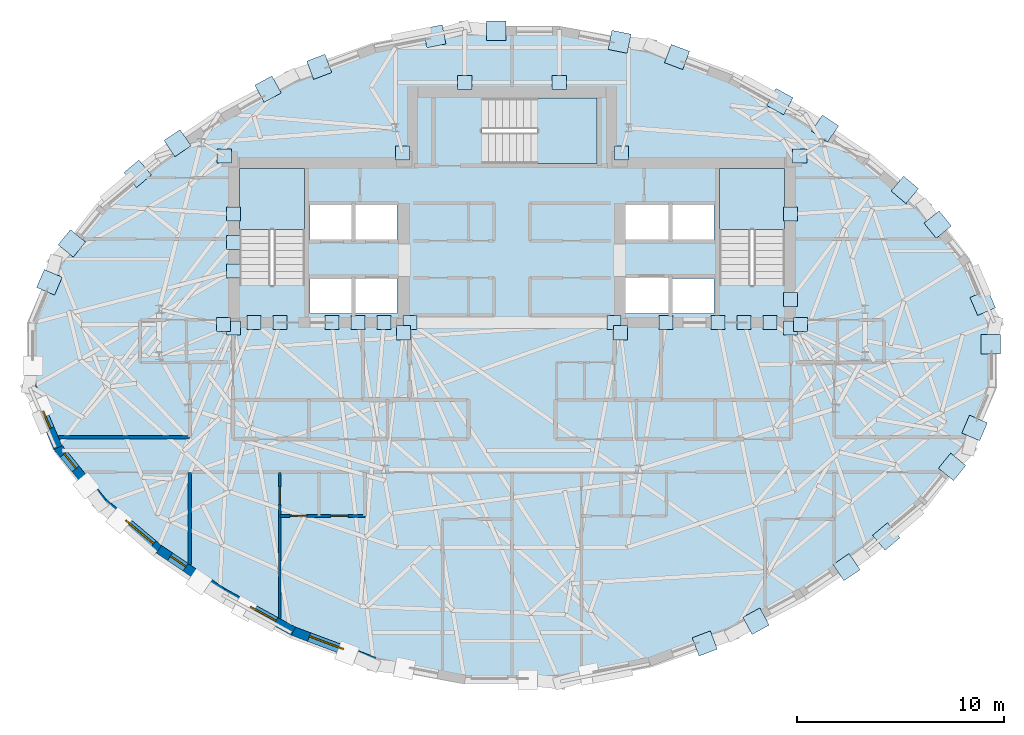
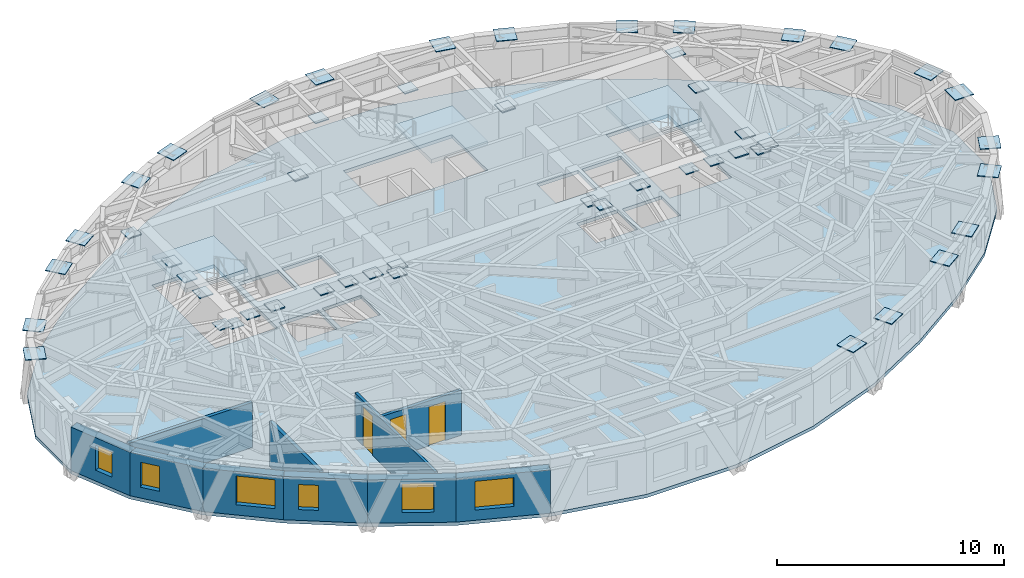
# One storey, part 5 of 14: 50 plates, 10 walls, 6 windows, 4 slabs, 3 doors, 9 openings, 3 elements without a shape of their own.
"""IFC4 building model written with IfcOpenShell, lengths in metres."""

import ifcopenshell
import ifcopenshell.guid

model = None  # the IFC model being written
_history = None  # IfcOwnerHistory: only IFC2X3 demands one
_inside = {}  # id of a spatial element -> (the spatial element, [elements in it])
_under = {}  # id of a project, library or spatial element -> (it, [spatial elements below it])
_declared = {}  # id of a project -> (the project, [libraries it declares])
_typed = {}  # id of a type object -> (the type object, [elements of that type])
_made_of = {}  # id of a material, layer set ... -> (it, [elements and type objects made of it])


def new_model(schema):
    """Start an empty IFC model of exactly this schema.

    Asked for "IFC4X3", IfcOpenShell would pick the latest addendum, in which some entities
    have other attributes; the version numbers below select the first issue.
    IFC2X3 requires an IfcOwnerHistory on every rooted entity: one is made here for all.
    """
    global model, _history
    if schema == "IFC4X3":
        model = ifcopenshell.file(schema_version=(4, 3, 0, 0))
    else:
        model = ifcopenshell.file(schema=schema)
    _inside.clear()
    _under.clear()
    _declared.clear()
    _typed.clear()
    _made_of.clear()
    _history = None
    if model.schema == "IFC2X3":
        org = make("IfcOrganization", Name="unknown")
        user = make(
            "IfcPersonAndOrganization",
            ThePerson=make("IfcPerson", FamilyName="unknown"),
            TheOrganization=org,
        )
        app = make(
            "IfcApplication",
            ApplicationDeveloper=org,
            Version="unknown",
            ApplicationFullName="unknown",
            ApplicationIdentifier="unknown",
        )
        _history = make(
            "IfcOwnerHistory",
            OwningUser=user,
            OwningApplication=app,
            ChangeAction="ADDED",
            CreationDate=0,
        )
    return model


def make(cls, **values):
    """One entity of the class cls with the attributes given. An attribute that is None is left unset."""
    return model.create_entity(
        cls, **{name: value for name, value in values.items() if value is not None}
    )


def rooted(cls, **values):
    """An entity with a GlobalId (a new one), such as an element, a storey or a relation."""
    return make(cls, GlobalId=ifcopenshell.guid.new(), OwnerHistory=_history, **values)


def si_unit(unit_type, name, prefix=None):
    """IfcSIUnit, for example si_unit("LENGTHUNIT", "METRE", prefix="MILLI")."""
    return make("IfcSIUnit", UnitType=unit_type, Prefix=prefix, Name=name)


def assignment(units):
    """IfcUnitAssignment: the units of a project."""
    return None if units is None else make("IfcUnitAssignment", Units=units)


def point(xyz):
    """IfcCartesianPoint."""
    return None if xyz is None else make("IfcCartesianPoint", Coordinates=xyz)


def direction(xyz):
    """IfcDirection."""
    return None if xyz is None else make("IfcDirection", DirectionRatios=xyz)


def frame(location, z_axis=None, x_axis=None):
    """IfcAxis2Placement3D, a coordinate frame: its origin and axes. An axis left out is left unset."""
    return make(
        "IfcAxis2Placement3D",
        Location=point(location),
        Axis=direction(z_axis),
        RefDirection=direction(x_axis),
    )


def frame_2d(location, x_axis=None):
    """IfcAxis2Placement2D, a coordinate frame in the plane: its origin and x axis."""
    return make(
        "IfcAxis2Placement2D", Location=point(location), RefDirection=direction(x_axis)
    )


def origin():
    """The frame at (0, 0, 0) with its axes left unset."""
    return frame((0.0, 0.0, 0.0))


def origin_2d():
    """The frame at (0, 0) in the plane with its x axis left unset."""
    return frame_2d((0.0, 0.0))


def place(relative_to, where):
    """IfcLocalPlacement: puts the frame where relative to a parent placement (None: the world)."""
    return make(
        "IfcLocalPlacement", PlacementRelTo=relative_to, RelativePlacement=where
    )


def context(
    kind, dimensions, precision=None, world=None, true_north=None, identifier=None
):
    """IfcGeometricRepresentationContext, for example the 3D "Model" context."""
    return make(
        "IfcGeometricRepresentationContext",
        ContextIdentifier=identifier,
        ContextType=kind,
        CoordinateSpaceDimension=dimensions,
        Precision=precision,
        WorldCoordinateSystem=world,
        TrueNorth=true_north,
    )


def subcontext(parent, identifier, kind, view, scale=None):
    """IfcGeometricRepresentationSubContext, for example "Body" below "Model"."""
    return make(
        "IfcGeometricRepresentationSubContext",
        ContextIdentifier=identifier,
        ContextType=kind,
        ParentContext=parent,
        TargetScale=scale,
        TargetView=view,
    )


def project(units=None, contexts=None):
    """IfcProject with its units and contexts."""
    return rooted(
        "IfcProject",
        Name="project",
        RepresentationContexts=contexts,
        UnitsInContext=assignment(units),
    )


def spatial(cls, under=None, at=None, **own):
    """A site, building, storey or space (cls), placed at a placement, below another one or the project."""
    s = rooted(cls, ObjectPlacement=at, **own)
    if under is not None:
        _under.setdefault(under.id(), (under, []))[1].append(s)
    return s


def polyline(points):
    """IfcPolyline through the points."""
    return make("IfcPolyline", Points=[point(p) for p in points])


def profile(cls, at=None, kind="AREA", **sizes):
    """A parametric profile (cls). Its sizes go by their IFC names, for example OverallWidth=200.0."""
    return make(cls, ProfileType=kind, Position=at, **sizes)


def rectangle(**sizes):
    """IfcRectangleProfileDef."""
    return profile("IfcRectangleProfileDef", **sizes)


def outline(outer, holes=None, kind="AREA"):
    """IfcArbitraryClosedProfileDef: a profile drawn as a closed curve; with holes, ...WithVoids."""
    if holes is None:
        return make("IfcArbitraryClosedProfileDef", ProfileType=kind, OuterCurve=outer)
    return make(
        "IfcArbitraryProfileDefWithVoids",
        ProfileType=kind,
        OuterCurve=outer,
        InnerCurves=holes,
    )


def extrude(swept, where, along, depth):
    """IfcExtrudedAreaSolid: the profile swept, set in the frame where, extruded along a direction by depth."""
    return make(
        "IfcExtrudedAreaSolid",
        SweptArea=swept,
        Position=where,
        ExtrudedDirection=direction(along),
        Depth=depth,
    )


def shape(context_of_items, identifier, shape_type, items):
    """IfcShapeRepresentation: the items that make up one representation, for example the "Body"."""
    return make(
        "IfcShapeRepresentation",
        ContextOfItems=context_of_items,
        RepresentationIdentifier=identifier,
        RepresentationType=shape_type,
        Items=items,
    )


def material(Name=None, Category=None):
    """IfcMaterial."""
    return make("IfcMaterial", Name=Name, Category=Category)


def layer(
    of_material, thickness, ventilated=None, Name=None, Category=None, Priority=None
):
    """IfcMaterialLayer: one layer of a wall or slab, of a material (None: an air gap)."""
    return make(
        "IfcMaterialLayer",
        Material=of_material,
        LayerThickness=thickness,
        IsVentilated=ventilated,
        Name=Name,
        Category=Category,
        Priority=Priority,
    )


def layer_set(layers, Name=None):
    """IfcMaterialLayerSet."""
    return make("IfcMaterialLayerSet", MaterialLayers=layers, LayerSetName=Name)


def made_of(thing, what):
    """Note that an element or type object is made of a material, layer set ...; save() writes the relation."""
    if what is not None:
        _made_of.setdefault(what.id(), (what, []))[1].append(thing)
    return thing


def type_object(cls, material=None, **own):
    """A type object (cls), such as IfcWallType, which elements share."""
    return made_of(rooted(cls, **own), material)


def element(
    cls,
    number,
    at=None,
    inside=None,
    cuts=None,
    type_object=None,
    material=None,
    context=None,
    identifier="Body",
    shape_type=None,
    held_by="IfcProductDefinitionShape",
    body=None,
    shapes=None,
    **own,
):
    """One element of the class cls, such as IfcWall. Its Tag is "e" and its number.

    at: its placement. inside: the storey or other place that contains it. cuts: it is an
    opening in that element (IfcRelVoidsElement). A single representation is given by context,
    identifier, shape_type and body (its items); several are given by shapes. held_by: the class
    of the entity that holds the representations. save() writes the other relations.
    """
    e = rooted(cls, Tag="e%d" % number, ObjectPlacement=at, **own)
    if body is not None:
        shapes = [shape(context, identifier, shape_type, body)]
    if shapes is not None:
        e.Representation = make(held_by, Representations=shapes)
    if inside is not None:
        _inside.setdefault(inside.id(), (inside, []))[1].append(e)
    if cuts is not None:
        rooted(
            "IfcRelVoidsElement", RelatingBuildingElement=cuts, RelatedOpeningElement=e
        )
    if type_object is not None:
        _typed.setdefault(type_object.id(), (type_object, []))[1].append(e)
    return made_of(e, material)


def fill(opening, filler):
    """IfcRelFillsElement: the door or window that sits in an opening."""
    return rooted(
        "IfcRelFillsElement",
        RelatingOpeningElement=opening,
        RelatedBuildingElement=filler,
    )


def aggregate(whole, parts):
    """IfcRelAggregates: a whole, such as a stair, and the parts it consists of."""
    return rooted("IfcRelAggregates", RelatingObject=whole, RelatedObjects=parts)


def save(model, path):
    """Write the relations noted so far, then the file.

    IfcRelAggregates (storeys below a building ...), IfcRelContainedInSpatialStructure (elements
    in a storey), IfcRelDefinesByType, IfcRelAssociatesMaterial and IfcRelDeclares: one each for
    every whole, place, type object, material and project.
    """
    for whole, parts in _under.values():
        aggregate(whole, parts)
    for where, things in _inside.values():
        rooted(
            "IfcRelContainedInSpatialStructure",
            RelatedElements=things,
            RelatingStructure=where,
        )
    for kind, things in _typed.values():
        rooted("IfcRelDefinesByType", RelatedObjects=things, RelatingType=kind)
    for what, things in _made_of.values():
        rooted("IfcRelAssociatesMaterial", RelatedObjects=things, RelatingMaterial=what)
    for by, libraries in _declared.values():
        rooted("IfcRelDeclares", RelatingContext=by, RelatedDefinitions=libraries)
    model.write(path)


model = new_model("IFC4")

# Units and contexts
model_context = context("Model", 3, precision=1e-05, world=origin(), true_north=direction((0.0, 1.0)))
body_context = subcontext(model_context, "Body", "Model", "MODEL_VIEW")
ifc_project = project(units=[si_unit("LENGTHUNIT", "METRE"), si_unit("AREAUNIT", "SQUARE_METRE"), si_unit("VOLUMEUNIT", "CUBIC_METRE"), si_unit("PLANEANGLEUNIT", "RADIAN"), si_unit("MASSUNIT", "GRAM", prefix="KILO")], contexts=[model_context])

# Site, building, storey
site_placement = place(None, origin())
site = spatial("IfcSite", under=ifc_project, at=site_placement, CompositionType="ELEMENT")
building_placement = place(site_placement, origin())
building = spatial("IfcBuilding", under=site, at=building_placement, Name="Keldmark Tower", CompositionType="ELEMENT")
storey_placement = place(building_placement, frame((0.0, 0.0, 216.300048828125)))
storey = spatial("IfcBuildingStorey", under=building, at=storey_placement, Name="L60", CompositionType="ELEMENT", Elevation=216.300048828125)

# Plates
ifc_material_1 = material(Name="Steel ASTM A572 Grade 50", Category="steel")
ifc_layer_1 = layer(ifc_material_1, 0.06005859375)
ifc_layer_set_1 = layer_set([ifc_layer_1], Name="Steel ASTM A572 Grade 50")
plate_type_1 = type_object("IfcPlateType", Name="Belt Truss Kink Node Assembly KN01 60 mm", PredefinedType="USERDEFINED", material=ifc_layer_set_1)
for number, where, z_axis, x_axis, name in (
    (1, (13.91162109375, 1.473388671875, 2.67822265625), (0.0, 0.0, 1.0), (1.0, 0.0, 0.0), "L60 Core Wall Cast-In Embed Plate 1759"),
    (2, (13.878173828125, 9.608154296875, 2.67822265625), (0.0, 0.0, 1.0), (1.0, 0.0, 0.0), "L60 Core Wall Cast-In Embed Plate 1760"),
    (3, (5.28515625, 9.758544921875, 2.67822265625), (0.0, 0.0, 1.0), (1.0, 0.0, 0.0), "L60 Core Wall Cast-In Embed Plate 1761"),
    (4, (-5.28515625, 9.758544921875, 2.67822265625), (0.0, 0.0, 1.0), (1.0, 0.0, 0.0), "L60 Core Wall Cast-In Embed Plate 1762"),
    (5, (-13.878173828125, 9.608154296875, 2.67822265625), (0.0, 0.0, 1.0), (1.0, 0.0, 0.0), "L60 Core Wall Cast-In Embed Plate 1763"),
    (6, (-13.91162109375, 1.473388671875, 2.67822265625), (0.0, 0.0, 1.0), (1.0, 0.0, 0.0), "L60 Core Wall Cast-In Embed Plate 1764"),
    (7, (-5.24072265625, 1.08251953125, 2.67822265625), (0.0, 0.0, 1.0), (1.0, 0.0, 0.0), "L60 Core Wall Cast-In Embed Plate 1765"),
    (8, (5.24072265625, 1.08251953125, 2.67822265625), (0.0, 0.0, 1.0), (1.0, 0.0, 0.0), "L60 Core Wall Cast-In Embed Plate 1766"),
    (9, (4.925048828125, 1.574951171875, 2.673828125), (0.0, 0.0, 1.0), (1.0, 0.0, 0.0), "L60 Core Wall Cast-In Embed Plate 1767"),
    (10, (-11.19287109375, 1.574951171875, 2.673828125), (0.0, 0.0, 1.0), (1.0, 0.0, 0.0), "L60 Core Wall Cast-In Embed Plate 1768"),
    (11, (-7.43212890625, 1.574951171875, 2.673828125), (0.0, 0.0, 1.0), (1.0, 0.0, 0.0), "L60 Core Wall Cast-In Embed Plate 1769"),
    (12, (7.43212890625, 1.574951171875, 2.673828125), (0.0, 0.0, 1.0), (1.0, 0.0, 0.0), "L60 Core Wall Cast-In Embed Plate 1770"),
    (13, (11.19287109375, 1.574951171875, 2.673828125), (0.0, 0.0, 1.0), (1.0, 0.0, 0.0), "L60 Core Wall Cast-In Embed Plate 1771"),
    (14, (13.425048828125, 2.675048828125, 2.673828125), (0.0, 0.0, 1.0), (1.0, 0.0, 0.0), "L60 Core Wall Cast-In Embed Plate 1772"),
    (15, (-13.425048828125, 1.300048828125, 2.673828125), (0.0, 0.0, 1.0), (1.0, 0.0, 0.0), "L60 Core Wall Cast-In Embed Plate 1773"),
    (16, (-6.1787109375, 1.574951171875, 2.673828125), (0.0, 0.0, 1.0), (1.0, 0.0, 0.0), "L60 Core Wall Cast-In Embed Plate 1774"),
    (17, (9.939208984375, 1.574951171875, 2.673828125), (0.0, 0.0, 1.0), (1.0, 0.0, 0.0), "L60 Core Wall Cast-In Embed Plate 1775"),
    (18, (13.425048828125, 1.300048828125, 2.673828125), (0.0, 0.0, 1.0), (1.0, 0.0, 0.0), "L60 Core Wall Cast-In Embed Plate 1776"),
    (19, (13.425048828125, 6.800048828125, 2.673828125), (0.0, 0.0, 1.0), (1.0, 0.0, 0.0), "L60 Core Wall Cast-In Embed Plate 1777"),
    (20, (-13.425048828125, 4.050048828125, 2.673828125), (0.0, 0.0, 1.0), (1.0, 0.0, 0.0), "L60 Core Wall Cast-In Embed Plate 1778"),
    (21, (-13.425048828125, 5.425048828125, 2.673828125), (0.0, 0.0, 1.0), (1.0, 0.0, 0.0), "L60 Core Wall Cast-In Embed Plate 1779"),
    (22, (-13.425048828125, 6.800048828125, 2.673828125), (0.0, 0.0, 1.0), (1.0, 0.0, 0.0), "L60 Core Wall Cast-In Embed Plate 1780"),
    (23, (-12.4462890625, 1.574951171875, 2.673828125), (0.0, 0.0, 1.0), (1.0, 0.0, 0.0), "L60 Core Wall Cast-In Embed Plate 1781"),
    (24, (-8.685791015625, 1.574951171875, 2.673828125), (0.0, 0.0, 1.0), (1.0, 0.0, 0.0), "L60 Core Wall Cast-In Embed Plate 1782"),
    (25, (-4.925048828125, 1.574951171875, 2.673828125), (0.0, 0.0, 1.0), (1.0, 0.0, 0.0), "L60 Core Wall Cast-In Embed Plate 1783"),
    (26, (12.4462890625, 1.574951171875, 2.673828125), (0.0, 0.0, 1.0), (1.0, 0.0, 0.0), "L60 Core Wall Cast-In Embed Plate 1784"),
    (27, (2.281005859375, 13.14990234375, 2.673828125), (0.0, 0.0, 1.0), (1.0, 0.0, 0.0), "L60 Core Wall Cast-In Embed Plate 1785"),
    (28, (-2.281005859375, 13.14990234375, 2.673828125), (0.0, 0.0, 1.0), (1.0, 0.0, 0.0), "L60 Core Wall Cast-In Embed Plate 1786"),
):
    element("IfcPlate", number, at=place(storey_placement, frame(where, z_axis=z_axis, x_axis=x_axis)), inside=storey, type_object=plate_type_1, Name=name, ObjectType="CAP PLATE", PredefinedType="USERDEFINED", context=body_context, shape_type="SweptSolid", body=[
        extrude(rectangle(XDim=0.679931640625, YDim=0.679931640625, at=origin_2d()), origin(), (0.0, 0.0, 1.0), 0.054931640625),
    ])
ifc_material_2 = material(Name="Steel ASTM A572 Grade 50", Category="steel")
ifc_layer_2 = layer(ifc_material_2, 0.0400390625)
ifc_layer_set_2 = layer_set([ifc_layer_2], Name="Steel ASTM A572 Grade 50")
plate_type_2 = type_object("IfcPlateType", Name="Diagrid Node Assembly DN05 40 mm", PredefinedType="USERDEFINED", material=ifc_layer_set_2)
for number, where, z_axis, x_axis, name in (
    (29, (22.703125, 2.531982421875, 2.829833984375), (0.0, 0.0, 1.0), (-0.394743856384, 0.918791210149, 0.0), "L60 Diagrid Node Assembly 01"),
    (30, (20.53076171875, 6.2978515625, 2.829833984375), (0.0, 0.0, 1.0), (-0.632705328563, 0.774392644082, 0.0), "L60 Diagrid Node Assembly 02"),
    (31, (18.944580078125, 7.97119140625, 2.829833984375), (0.0, 0.0, 1.0), (-0.766044443119, 0.642787609687, 0.0), "L60 Diagrid Node Assembly 03"),
    (32, (15.09619140625, 10.928955078125, 2.829833984375), (0.0, 0.0, 1.0), (-0.827570769564, 0.561361399958, 0.0), "L60 Diagrid Node Assembly 04"),
    (33, (12.91650390625, 12.227783203125, 2.829833984375), (0.0, 0.0, 1.0), (-0.876894599045, 0.480682704252, 0.0), "L60 Diagrid Node Assembly 05"),
    (34, (7.9599609375, 14.37890625, 2.829833984375), (0.0, 0.0, 1.0), (-0.936059535739, 0.351841648405, 0.0), "L60 Diagrid Node Assembly 06"),
    (35, (5.18603515625, 15.11181640625, 2.829833984375), (0.0, 0.0, 1.0), (-0.981022896164, 0.193891921448, 0.0), "L60 Diagrid Node Assembly 07"),
    (36, (-0.76611328125, 15.64697265625, 2.829833984375), (0.0, 0.0, 1.0), (-1.0, 0.0, 0.0), "L60 Diagrid Node Assembly 08"),
    (37, (-3.736328125, 15.37841796875, 2.829833984375), (0.0, 0.0, 1.0), (-0.981022896164, -0.193891921448, 0.0), "L60 Diagrid Node Assembly 09"),
    (38, (-9.294189453125, 13.905517578125, 2.829833984375), (0.0, 0.0, 1.0), (-0.936059535739, -0.351841648405, 0.0), "L60 Diagrid Node Assembly 10"),
    (39, (-11.7666015625, 12.831298828125, 2.829833984375), (0.0, 0.0, 1.0), (-0.876894599045, -0.480682704252, 0.0), "L60 Diagrid Node Assembly 11"),
    (40, (-16.132568359375, 10.223388671875, 2.829833984375), (0.0, 0.0, 1.0), (-0.827570769564, -0.561361399958, 0.0), "L60 Diagrid Node Assembly 12"),
    (41, (-18.051513671875, 8.747802734375, 2.829833984375), (0.0, 0.0, 1.0), (-0.766044443119, -0.642787609687, 0.0), "L60 Diagrid Node Assembly 13"),
    (42, (-21.226318359375, 5.389404296875, 2.829833984375), (0.0, 0.0, 1.0), (-0.632705328563, -0.774392644082, 0.0), "L60 Diagrid Node Assembly 14"),
    (43, (-22.309326171875, 3.51171875, 2.829833984375), (0.0, 0.0, 1.0), (-0.394743856384, -0.918791210149, 0.0), "L60 Diagrid Node Assembly 15"),
    (44, (9.294189453125, -13.905517578125, 2.829833984375), (0.0, 0.0, 1.0), (0.936059535739, 0.351841648405, 0.0), "L60 Diagrid Node Assembly 26"),
    (45, (11.7666015625, -12.831298828125, 2.829833984375), (0.0, 0.0, 1.0), (0.876894599045, 0.480682704252, 0.0), "L60 Diagrid Node Assembly 27"),
    (46, (16.132568359375, -10.223388671875, 2.829833984375), (0.0, 0.0, 1.0), (0.827570769564, 0.561361399958, 0.0), "L60 Diagrid Node Assembly 28"),
    (47, (18.051513671875, -8.747802734375, 2.829833984375), (0.0, 0.0, 1.0), (0.766044443119, 0.642787609687, 0.0), "L60 Diagrid Node Assembly 29"),
    (48, (21.226318359375, -5.389404296875, 2.829833984375), (0.0, 0.0, 1.0), (0.632705328563, 0.774392644082, 0.0), "L60 Diagrid Node Assembly 30"),
    (49, (22.309326171875, -3.51171875, 2.829833984375), (0.0, 0.0, 1.0), (0.394743856384, 0.918791210149, 0.0), "L60 Diagrid Node Assembly 31"),
    (50, (23.099365234375, 0.521484375, 2.829833984375), (0.0, 0.0, 1.0), (0.0, 1.0, 0.0), "L60 Diagrid Node Assembly 32"),
):
    element("IfcPlate", number, at=place(storey_placement, frame(where, z_axis=z_axis, x_axis=x_axis)), inside=storey, type_object=plate_type_2, Name=name, ObjectType="GUSSET", PredefinedType="USERDEFINED", context=body_context, shape_type="SweptSolid", body=[
        extrude(rectangle(XDim=0.93994140625, YDim=0.93994140625, at=origin_2d()), origin(), (0.0, 0.0, 1.0), 0.0400390625),
    ])

# Slab
ifc_material_3 = material(Name="Concrete C35/45", Category="concrete")
ifc_layer_3 = layer(ifc_material_3, 0.179931640625)
ifc_layer_set_3 = layer_set([ifc_layer_3], Name="Concrete C35/45")
slab_type_1 = type_object("IfcSlabType", Name="Hotel and Residential Slab 180 mm", PredefinedType="FLOOR", material=ifc_layer_set_3)
slab_1_placement = place(storey_placement, frame((0.0, 0.0, -0.179931640625)))
element("IfcSlab", 51, at=slab_1_placement, inside=storey, type_object=slab_type_1, Name="L60 Composite Structural Floor Slab", PredefinedType="FLOOR", context=body_context, shape_type="SweptSolid", body=[
    extrude(outline(polyline([(23.384033203125, 1.56201171875), (22.1015625, 4.547119140625), (19.917236328125, 7.220458984375), (17.1474609375, 9.54443359375), (14.072509765625, 11.6298828125), (10.64599609375, 13.50830078125), (6.704345703125, 14.989990234375), (2.302978515625, 15.859619140625), (-2.302978515625, 15.859619140625), (-6.704345703125, 14.989990234375), (-10.64599609375, 13.50830078125), (-14.072509765625, 11.6298828125), (-17.1474609375, 9.54443359375), (-19.917236328125, 7.220458984375), (-22.1015625, 4.547119140625), (-23.384033203125, 1.56201171875), (-23.384033203125, -1.56201171875), (-22.1015625, -4.547119140625), (-19.917236328125, -7.220458984375), (-17.1474609375, -9.54443359375), (-14.072509765625, -11.6298828125), (-10.64599609375, -13.50830078125), (-6.704345703125, -14.989990234375), (-2.302978515625, -15.859619140625), (2.302978515625, -15.859619140625), (6.704345703125, -14.989990234375), (10.64599609375, -13.50830078125), (14.072509765625, -11.6298828125), (17.1474609375, -9.54443359375), (19.917236328125, -7.220458984375), (22.1015625, -4.547119140625), (23.384033203125, -1.56201171875), (23.384033203125, 1.56201171875)]), holes=[polyline([(-10.0, 3.385009765625), (-10.0, 9.0), (-13.14990234375, 9.0), (-13.14990234375, 3.385009765625), (-10.0, 3.385009765625)]), polyline([(13.14990234375, 3.385009765625), (13.14990234375, 9.0), (10.0, 9.0), (10.0, 3.385009765625), (13.14990234375, 3.385009765625)]), polyline([(-1.43994140625, 9.25), (4.10498046875, 9.25), (4.10498046875, 12.39990234375), (-1.43994140625, 12.39990234375), (-1.43994140625, 9.25)]), polyline([(-9.75, 2.0), (-7.75, 2.0), (-7.75, 3.699951171875), (-9.75, 3.699951171875), (-9.75, 2.0)]), polyline([(7.75, 2.0), (9.75, 2.0), (9.75, 3.699951171875), (7.75, 3.699951171875), (7.75, 2.0)]), polyline([(5.449951171875, 2.0), (7.550048828125, 2.0), (7.550048828125, 3.75), (5.449951171875, 3.75), (5.449951171875, 2.0)]), polyline([(-9.75, 5.550048828125), (-7.75, 5.550048828125), (-7.75, 7.25), (-9.75, 7.25), (-9.75, 5.550048828125)]), polyline([(-7.550048828125, 5.550048828125), (-5.550048828125, 5.550048828125), (-5.550048828125, 7.25), (-7.550048828125, 7.25), (-7.550048828125, 5.550048828125)]), polyline([(-7.550048828125, 2.0), (-5.550048828125, 2.0), (-5.550048828125, 3.699951171875), (-7.550048828125, 3.699951171875), (-7.550048828125, 2.0)]), polyline([(5.449951171875, 5.550048828125), (7.550048828125, 5.550048828125), (7.550048828125, 7.25), (5.449951171875, 7.25), (5.449951171875, 5.550048828125)]), polyline([(7.75, 5.550048828125), (9.75, 5.550048828125), (9.75, 7.25), (7.75, 7.25), (7.75, 5.550048828125)])]), origin(), (0.0, 0.0, 1.0), 0.179931640625),
])

# Stair, slab
ifc_material_4 = material(Name="Concrete C40/50", Category="concrete")
stair_type = type_object("IfcStairType", Name="Precast Concrete Core Exit Stair", PredefinedType="HALF_TURN_STAIR", material=ifc_material_4)
stair_1_placement = place(storey_placement, origin())
stair_1 = element("IfcStair", 52, at=stair_1_placement, inside=storey, type_object=stair_type, Name="L60 Exit Stair ST1", PredefinedType="HALF_TURN_STAIR")
ifc_material_5 = material(Name="Concrete C40/50", Category="concrete")
ifc_layer_4 = layer(ifc_material_5, 0.199951171875)
ifc_layer_set_4 = layer_set([ifc_layer_4], Name="Concrete C40/50")
slab_type_2 = type_object("IfcSlabType", Name="Reinforced Concrete Stair Landing 200 mm", PredefinedType="LANDING", material=ifc_layer_set_4)
slab_2_placement = place(storey_placement, frame((0.0, 0.0, 1.375)))
slab_2 = element("IfcSlab", 53, at=slab_2_placement, type_object=slab_type_2, Name="ST1 landing 1", PredefinedType="LANDING", context=body_context, shape_type="SweptSolid", body=[
    extrude(outline(polyline([(-10.0, 6.050048828125), (-10.0, 9.0), (-13.14990234375, 9.0), (-13.14990234375, 6.050048828125), (-10.0, 6.050048828125)])), origin(), (0.0, 0.0, 1.0), 0.199951171875),
])
aggregate(stair_1, [slab_2])

stair_2_placement = place(storey_placement, origin())
stair_2 = element("IfcStair", 54, at=stair_2_placement, inside=storey, type_object=stair_type, Name="L60 Exit Stair ST2", PredefinedType="HALF_TURN_STAIR")
slab_3_placement = place(storey_placement, frame((0.0, 0.0, 1.375)))
slab_3 = element("IfcSlab", 55, at=slab_3_placement, type_object=slab_type_2, Name="ST2 landing 1", PredefinedType="LANDING", context=body_context, shape_type="SweptSolid", body=[
    extrude(outline(polyline([(13.14990234375, 6.050048828125), (13.14990234375, 9.0), (10.0, 9.0), (10.0, 6.050048828125), (13.14990234375, 6.050048828125)])), origin(), (0.0, 0.0, 1.0), 0.199951171875),
])
aggregate(stair_2, [slab_3])

stair_3_placement = place(storey_placement, origin())
stair_3 = element("IfcStair", 56, at=stair_3_placement, inside=storey, type_object=stair_type, Name="L60 Exit Stair ST3", PredefinedType="HALF_TURN_STAIR")
slab_4_placement = place(storey_placement, frame((0.0, 0.0, 1.375)))
slab_4 = element("IfcSlab", 57, at=slab_4_placement, type_object=slab_type_2, Name="ST3 landing 1", PredefinedType="LANDING", context=body_context, shape_type="SweptSolid", body=[
    extrude(outline(polyline([(1.22509765625, 9.25), (4.10498046875, 9.25), (4.10498046875, 12.39990234375), (1.22509765625, 12.39990234375), (1.22509765625, 9.25)])), origin(), (0.0, 0.0, 1.0), 0.199951171875),
])
aggregate(stair_3, [slab_4])

# Wall, opening, door
ifc_material_6 = material(Name="Acoustic Gypsum Board Interior Partition", Category="gypsum")
ifc_layer_5 = layer(ifc_material_6, 0.1298828125)
ifc_layer_set_5 = layer_set([ifc_layer_5], Name="Acoustic Gypsum Board Interior Partition")
wall_type_1 = type_object("IfcWallType", Name="Interior Partition 130 mm", PredefinedType="PARTITIONING", material=ifc_layer_set_5)
wall_1_placement = place(storey_placement, frame((-11.199951171875, -12.69384765625, 0.0), z_axis=(0.0, 0.0, 1.0), x_axis=(0.0, 1.0, 0.0)))
wall_1 = element("IfcWall", 58, at=wall_1_placement, inside=storey, type_object=wall_type_1, Name="L60 Interior Partition 130 mm UA-BR1-E", PredefinedType="PARTITIONING", context=body_context, shape_type="SweptSolid", body=[
    extrude(rectangle(XDim=7.0439453125, YDim=0.1298828125, at=frame_2d((3.52197265625, 0.0))), origin(), (0.0, 0.0, 1.0), 2.4228515625),
])
opening_1_placement = place(wall_1_placement, frame((5.494140625, 0.0, 0.0)))
opening_1 = element("IfcOpeningElement", 59, at=opening_1_placement, cuts=wall_1, Name="Opening D-BR085", PredefinedType="OPENING", context=body_context, shape_type="SweptSolid", body=[
    extrude(rectangle(XDim=0.85009765625, YDim=2.10009765625, at=frame_2d((0.425048828125, 1.050048828125))), frame((0.0, 0.074951171875, 0.0), z_axis=(0.0, -1.0, 0.0), x_axis=(1.0, 0.0, 0.0)), (0.0, 0.0, 1.0), 0.14990234375),
])
ifc_material_7 = material(Name="Solid-Core Stained Walnut Wood", Category="wood")
door_type_1 = type_object("IfcDoorType", Name="Bedroom Door 850x2100", OperationType="NOTDEFINED", PredefinedType="DOOR", material=ifc_material_7)
door_1_placement = place(opening_1_placement, origin())
door_1 = element("IfcDoor", 60, at=door_1_placement, inside=storey, type_object=door_type_1, Name="L60 Bedroom Door 850x2100 D-UA-BR1-L60", OperationType="SINGLE_SWING_RIGHT", OverallHeight=2.10009765625, OverallWidth=0.85009765625, PredefinedType="DOOR", context=body_context, shape_type="SweptSolid", body=[
    extrude(rectangle(XDim=0.85009765625, YDim=2.10009765625, at=frame_2d((0.425048828125, 1.050048828125))), frame((0.0, 0.02490234375, 0.0), z_axis=(0.0, -1.0, 0.0), x_axis=(1.0, 0.0, 0.0)), (0.0, 0.0, 1.0), 0.050048828125),
])
fill(opening_1, door_1)

# Walls
ifc_material_8 = material(Name="Type X Fire-Rated Gypsum Partition Assembly", Category="gypsum")
ifc_layer_6 = layer(ifc_material_8, 0.1650390625)
ifc_layer_set_6 = layer_set([ifc_layer_6], Name="Type X Fire-Rated Gypsum Partition Assembly")
wall_type_2 = type_object("IfcWallType", Name="Rated Partition 165 mm", PredefinedType="PARTITIONING", material=ifc_layer_set_6)
wall_2_placement = place(storey_placement, frame((-21.87060546875, -3.949951171875, 0.0), z_axis=(0.0, 0.0, 1.0), x_axis=(1.0, 0.0, 0.0)))
element("IfcWall", 61, at=wall_2_placement, inside=storey, type_object=wall_type_2, Name="L60 Rated Partition 165 mm RCOR-WN-OUT", PredefinedType="PARTITIONING", context=body_context, shape_type="SweptSolid", body=[
    extrude(rectangle(XDim=6.320556640625, YDim=0.1650390625, at=frame_2d((3.16015625, 0.0))), origin(), (0.0, 0.0, 1.0), 2.4228515625),
])
wall_3_placement = place(storey_placement, frame((-15.550048828125, -10.08642578125, 0.0), z_axis=(0.0, 0.0, 1.0), x_axis=(0.0, 1.0, 0.0)))
element("IfcWall", 62, at=wall_3_placement, inside=storey, type_object=wall_type_2, Name="L60 Rated Partition 165 mm RS-WCAP", PredefinedType="PARTITIONING", context=body_context, shape_type="SweptSolid", body=[
    extrude(rectangle(XDim=4.4365234375, YDim=0.1650390625, at=frame_2d((2.21826171875, 0.0))), origin(), (0.0, 0.0, 1.0), 2.4228515625),
])

# Wall, opening, window
ifc_material_9 = material(Name="Ironspot Manganese Brick and Kasota Buff Limestone Spandrel Assembly", Category="masonry")
ifc_layer_7 = layer(ifc_material_9, 0.43994140625)
ifc_layer_set_7 = layer_set([ifc_layer_7], Name="Ironspot Manganese Brick and Kasota Buff Limestone Spandrel Assembly")
wall_type_3 = type_object("IfcWallType", Name="Tower Brick Pier and Spandrel Wall 440 mm", PredefinedType="STANDARD", material=ifc_layer_set_7)
wall_4_placement = place(storey_placement, frame((-21.8994140625, -4.460205078125, 0.0), z_axis=(0.0, 0.0, 1.0), x_axis=(-0.394735370712, 0.918794855835, 0.0)))
wall_4 = element("IfcWall", 63, at=wall_4_placement, inside=storey, type_object=wall_type_3, Name="L60 Exterior Brick and Spandrel Wall 17", PredefinedType="STANDARD", context=body_context, shape_type="SweptSolid", body=[
    extrude(rectangle(XDim=3.2490234375, YDim=0.43994140625, at=frame_2d((1.62451171875, 0.0))), origin(), (0.0, 0.0, 1.0), 2.3359375),
])
opening_2_placement = place(wall_4_placement, frame((0.99951171875, 0.0, 0.580078125)))
opening_2 = element("IfcOpeningElement", 64, at=opening_2_placement, cuts=wall_4, Name="Opening W-09", PredefinedType="OPENING", context=body_context, shape_type="SweptSolid", body=[
    extrude(rectangle(XDim=0.89990234375, YDim=1.35009765625, at=frame_2d((0.449951171875, 0.675048828125))), frame((0.0, 0.22998046875, 0.0), z_axis=(0.0, -1.0, 0.0), x_axis=(1.0, 0.0, 0.0)), (0.0, 0.0, 1.0), 0.4599609375),
])
ifc_material_10 = material(Name="Thermally Broken Anodized Aluminum and Triple Low-E Argon Glazing", Category="aluminium")
window_type_1 = type_object("IfcWindowType", Name="Corner Pier Deep-Set Window 900x1350", PartitioningType="SINGLE_PANEL", PredefinedType="WINDOW", material=ifc_material_10)
window_1_placement = place(opening_2_placement, origin())
window_1 = element("IfcWindow", 65, at=window_1_placement, inside=storey, type_object=window_type_1, Name="L60 Deep-Set Window 17", OverallHeight=1.35009765625, OverallWidth=0.89990234375, PartitioningType="SINGLE_PANEL", PredefinedType="WINDOW", context=body_context, shape_type="SweptSolid", body=[
    extrude(rectangle(XDim=0.89990234375, YDim=1.35009765625, at=frame_2d((0.449951171875, 0.675048828125))), frame((0.0, -0.010009765625, 0.0), z_axis=(0.0, -1.0, 0.0), x_axis=(1.0, 0.0, 0.0)), (0.0, 0.0, 1.0), 0.06005859375),
])
fill(opening_2, window_1)

wall_5_placement = place(storey_placement, frame((-19.746826171875, -7.081298828125, 0.0), z_axis=(0.0, 0.0, 1.0), x_axis=(-0.632725461905, 0.774376194015, 0.0)))
wall_5 = element("IfcWall", 66, at=wall_5_placement, inside=storey, type_object=wall_type_3, Name="L60 Exterior Brick and Spandrel Wall 18", PredefinedType="STANDARD", context=body_context, shape_type="SweptSolid", body=[
    extrude(rectangle(XDim=3.4521484375, YDim=0.43994140625, at=frame_2d((1.72607421875, 0.0))), origin(), (0.0, 0.0, 1.0), 2.3359375),
])
opening_3_placement = place(wall_5_placement, frame((2.05859375, 0.0, 0.580078125)))
opening_3 = element("IfcOpeningElement", 67, at=opening_3_placement, cuts=wall_5, Name="Opening W-09", PredefinedType="OPENING", context=body_context, shape_type="SweptSolid", body=[
    extrude(rectangle(XDim=0.89990234375, YDim=1.35009765625, at=frame_2d((0.449951171875, 0.675048828125))), frame((0.0, 0.22998046875, 0.0), z_axis=(0.0, -1.0, 0.0), x_axis=(1.0, 0.0, 0.0)), (0.0, 0.0, 1.0), 0.4599609375),
])
window_2_placement = place(opening_3_placement, origin())
window_2 = element("IfcWindow", 68, at=window_2_placement, inside=storey, type_object=window_type_1, Name="L60 Deep-Set Window 18", OverallHeight=1.35009765625, OverallWidth=0.89990234375, PartitioningType="SINGLE_PANEL", PredefinedType="WINDOW", context=body_context, shape_type="SweptSolid", body=[
    extrude(rectangle(XDim=0.89990234375, YDim=1.35009765625, at=frame_2d((0.449951171875, 0.675048828125))), frame((0.0, -0.010009765625, 0.0), z_axis=(0.0, -1.0, 0.0), x_axis=(1.0, 0.0, 0.0)), (0.0, 0.0, 1.0), 0.06005859375),
])
fill(opening_3, window_2)

wall_6_placement = place(storey_placement, frame((-17.006103515625, -9.3759765625, 0.0), z_axis=(0.0, 0.0, 1.0), x_axis=(-0.766063904081, 0.642764416302, 0.0)))
wall_6 = element("IfcWall", 69, at=wall_6_placement, inside=storey, type_object=wall_type_3, Name="L60 Exterior Brick and Spandrel Wall 19", PredefinedType="STANDARD", context=body_context, shape_type="SweptSolid", body=[
    extrude(rectangle(XDim=3.615478515625, YDim=0.43994140625, at=frame_2d((1.8076171875, 0.0))), origin(), (0.0, 0.0, 1.0), 2.3359375),
])
opening_4_placement = place(wall_6_placement, frame((0.3955078125, 0.0, 0.550048828125)))
opening_4 = element("IfcOpeningElement", 70, at=opening_4_placement, cuts=wall_6, Name="Opening W-05", PredefinedType="OPENING", context=body_context, shape_type="SweptSolid", body=[
    extrude(rectangle(XDim=1.75, YDim=1.550048828125, at=frame_2d((0.875, 0.77490234375))), frame((0.0, 0.22998046875, 0.0), z_axis=(0.0, -1.0, 0.0), x_axis=(1.0, 0.0, 0.0)), (0.0, 0.0, 1.0), 0.4599609375),
])
ifc_material_11 = material(Name="Thermally Broken Anodized Aluminum and Triple Low-E Argon Glazing", Category="aluminium")
window_type_2 = type_object("IfcWindowType", Name="Residential Deep-Set Window 1750x1550", PartitioningType="DOUBLE_PANEL_VERTICAL", PredefinedType="WINDOW", material=ifc_material_11)
window_3_placement = place(opening_4_placement, origin())
window_3 = element("IfcWindow", 71, at=window_3_placement, inside=storey, type_object=window_type_2, Name="L60 Deep-Set Window 19", OverallHeight=1.550048828125, OverallWidth=1.75, PartitioningType="SINGLE_PANEL", PredefinedType="WINDOW", context=body_context, shape_type="SweptSolid", body=[
    extrude(rectangle(XDim=1.75, YDim=1.550048828125, at=frame_2d((0.875, 0.77490234375))), frame((0.0, -0.010009765625, 0.0), z_axis=(0.0, -1.0, 0.0), x_axis=(1.0, 0.0, 0.0)), (0.0, 0.0, 1.0), 0.06005859375),
])
fill(opening_4, window_3)

wall_7_placement = place(storey_placement, frame((-13.94921875, -11.44775390625, 0.0), z_axis=(0.0, 0.0, 1.0), x_axis=(-0.827595704154, 0.561324639105, 0.0)))
wall_7 = element("IfcWall", 72, at=wall_7_placement, inside=storey, type_object=wall_type_3, Name="L60 Exterior Brick and Spandrel Wall 20", PredefinedType="STANDARD", context=body_context, shape_type="SweptSolid", body=[
    extrude(rectangle(XDim=3.71533203125, YDim=0.43994140625, at=frame_2d((1.857666015625, 0.0))), origin(), (0.0, 0.0, 1.0), 2.3359375),
])
opening_5_placement = place(wall_7_placement, frame((2.171875, 0.0, 0.580078125)))
opening_5 = element("IfcOpeningElement", 73, at=opening_5_placement, cuts=wall_7, Name="Opening W-09", PredefinedType="OPENING", context=body_context, shape_type="SweptSolid", body=[
    extrude(rectangle(XDim=0.89990234375, YDim=1.35009765625, at=frame_2d((0.449951171875, 0.675048828125))), frame((0.0, 0.22998046875, 0.0), z_axis=(0.0, -1.0, 0.0), x_axis=(1.0, 0.0, 0.0)), (0.0, 0.0, 1.0), 0.4599609375),
])
window_4_placement = place(opening_5_placement, origin())
window_4 = element("IfcWindow", 74, at=window_4_placement, inside=storey, type_object=window_type_1, Name="L60 Deep-Set Window 20", OverallHeight=1.35009765625, OverallWidth=0.89990234375, PartitioningType="SINGLE_PANEL", PredefinedType="WINDOW", context=body_context, shape_type="SweptSolid", body=[
    extrude(rectangle(XDim=0.89990234375, YDim=1.35009765625, at=frame_2d((0.449951171875, 0.675048828125))), frame((0.0, -0.010009765625, 0.0), z_axis=(0.0, -1.0, 0.0), x_axis=(1.0, 0.0, 0.0)), (0.0, 0.0, 1.0), 0.06005859375),
])
fill(opening_5, window_4)

wall_8_placement = place(storey_placement, frame((-10.540283203125, -13.3154296875, 0.0), z_axis=(0.0, 0.0, 1.0), x_axis=(-0.87688122565, 0.480707100117, 0.0)))
wall_8 = element("IfcWall", 75, at=wall_8_placement, inside=storey, type_object=wall_type_3, Name="L60 Exterior Brick and Spandrel Wall 21", PredefinedType="STANDARD", context=body_context, shape_type="SweptSolid", body=[
    extrude(rectangle(XDim=3.90771484375, YDim=0.43994140625, at=frame_2d((1.953857421875, 0.0))), origin(), (0.0, 0.0, 1.0), 2.3359375),
])
opening_6_placement = place(wall_8_placement, frame((0.984375, 0.0, 0.550048828125)))
opening_6 = element("IfcOpeningElement", 76, at=opening_6_placement, cuts=wall_8, Name="Opening W-08", PredefinedType="OPENING", context=body_context, shape_type="SweptSolid", body=[
    extrude(rectangle(XDim=1.39990234375, YDim=1.550048828125, at=frame_2d((0.699951171875, 0.77490234375))), frame((0.0, 0.22998046875, 0.0), z_axis=(0.0, -1.0, 0.0), x_axis=(1.0, 0.0, 0.0)), (0.0, 0.0, 1.0), 0.4599609375),
])
ifc_material_12 = material(Name="Thermally Broken Anodized Aluminum and Triple Low-E Argon Glazing", Category="aluminium")
window_type_3 = type_object("IfcWindowType", Name="Residential Corner Punched Window 1400x1550", PartitioningType="SINGLE_PANEL", PredefinedType="WINDOW", material=ifc_material_12)
window_5_placement = place(opening_6_placement, origin())
window_5 = element("IfcWindow", 77, at=window_5_placement, inside=storey, type_object=window_type_3, Name="L60 Deep-Set Window 21", OverallHeight=1.550048828125, OverallWidth=1.39990234375, PartitioningType="SINGLE_PANEL", PredefinedType="WINDOW", context=body_context, shape_type="SweptSolid", body=[
    extrude(rectangle(XDim=1.39990234375, YDim=1.550048828125, at=frame_2d((0.699951171875, 0.77490234375))), frame((0.0, -0.010009765625, 0.0), z_axis=(0.0, -1.0, 0.0), x_axis=(1.0, 0.0, 0.0)), (0.0, 0.0, 1.0), 0.06005859375),
])
fill(opening_6, window_5)

wall_9_placement = place(storey_placement, frame((-6.626953125, -14.783935546875, 0.0), z_axis=(0.0, 0.0, 1.0), x_axis=(-0.936069207768, 0.351815915314, 0.0)))
wall_9 = element("IfcWall", 78, at=wall_9_placement, inside=storey, type_object=wall_type_3, Name="L60 Exterior Brick and Spandrel Wall 22", PredefinedType="STANDARD", context=body_context, shape_type="SweptSolid", body=[
    extrude(rectangle(XDim=4.2109375, YDim=0.43994140625, at=frame_2d((2.10546875, 0.0))), origin(), (0.0, 0.0, 1.0), 2.3359375),
])
opening_7_placement = place(wall_9_placement, frame((1.623046875, 0.0, 0.550048828125)))
opening_7 = element("IfcOpeningElement", 79, at=opening_7_placement, cuts=wall_9, Name="Opening W-05", PredefinedType="OPENING", context=body_context, shape_type="SweptSolid", body=[
    extrude(rectangle(XDim=1.75, YDim=1.550048828125, at=frame_2d((0.875, 0.77490234375))), frame((0.0, 0.22998046875, 0.0), z_axis=(0.0, -1.0, 0.0), x_axis=(1.0, 0.0, 0.0)), (0.0, 0.0, 1.0), 0.4599609375),
])
window_6_placement = place(opening_7_placement, origin())
window_6 = element("IfcWindow", 80, at=window_6_placement, inside=storey, type_object=window_type_2, Name="L60 Deep-Set Window 22", OverallHeight=1.550048828125, OverallWidth=1.75, PartitioningType="SINGLE_PANEL", PredefinedType="WINDOW", context=body_context, shape_type="SweptSolid", body=[
    extrude(rectangle(XDim=1.75, YDim=1.550048828125, at=frame_2d((0.875, 0.77490234375))), frame((0.0, -0.010009765625, 0.0), z_axis=(0.0, -1.0, 0.0), x_axis=(1.0, 0.0, 0.0)), (0.0, 0.0, 1.0), 0.06005859375),
])
fill(opening_7, window_6)

# Wall, openings, doors
ifc_material_13 = material(Name="Moisture-Resistant Gypsum Plumbing Partition", Category="gypsum")
ifc_layer_8 = layer(ifc_material_13, 0.14990234375)
ifc_layer_set_8 = layer_set([ifc_layer_8], Name="Moisture-Resistant Gypsum Plumbing Partition")
wall_type_4 = type_object("IfcWallType", Name="Wet Wall 150 mm", PredefinedType="PLUMBINGWALL", material=ifc_layer_set_8)
wall_10_placement = place(storey_placement, frame((-11.199951171875, -7.75, 0.0), z_axis=(0.0, 0.0, 1.0), x_axis=(1.0, 0.0, 0.0)))
wall_10 = element("IfcWall", 81, at=wall_10_placement, inside=storey, type_object=wall_type_4, Name="L60 Wet Wall 150 mm UA-BK-S", PredefinedType="PLUMBINGWALL", context=body_context, shape_type="SweptSolid", body=[
    extrude(rectangle(XDim=4.099853515625, YDim=0.14990234375, at=frame_2d((2.0498046875, 0.0))), origin(), (0.0, 0.0, 1.0), 2.4228515625),
])
opening_8_placement = place(wall_10_placement, frame((0.5, 0.0, 0.0)))
opening_8 = element("IfcOpeningElement", 82, at=opening_8_placement, cuts=wall_10, Name="Opening D-BT080", PredefinedType="OPENING", context=body_context, shape_type="SweptSolid", body=[
    extrude(rectangle(XDim=0.800048828125, YDim=2.10009765625, at=frame_2d((0.39990234375, 1.050048828125))), frame((0.0, 0.0849609375, 0.0), z_axis=(0.0, -1.0, 0.0), x_axis=(1.0, 0.0, 0.0)), (0.0, 0.0, 1.0), 0.169921875),
])
opening_9_placement = place(wall_10_placement, frame((2.449951171875, 0.0, 0.0)))
opening_9 = element("IfcOpeningElement", 83, at=opening_9_placement, cuts=wall_10, Name="Opening D-IN085", PredefinedType="OPENING", context=body_context, shape_type="SweptSolid", body=[
    extrude(rectangle(XDim=0.85009765625, YDim=2.10009765625, at=frame_2d((0.425048828125, 1.050048828125))), frame((0.0, 0.0849609375, 0.0), z_axis=(0.0, -1.0, 0.0), x_axis=(1.0, 0.0, 0.0)), (0.0, 0.0, 1.0), 0.169921875),
])
ifc_material_14 = material(Name="Moisture-Sealed Stained Wood", Category="wood")
door_type_2 = type_object("IfcDoorType", Name="Bathroom Door 800x2100", OperationType="NOTDEFINED", PredefinedType="DOOR", material=ifc_material_14)
door_2_placement = place(opening_8_placement, origin())
door_2 = element("IfcDoor", 84, at=door_2_placement, inside=storey, type_object=door_type_2, Name="L60 Bathroom Door 800x2100 D-UA-BATH-L60", OperationType="SINGLE_SWING_LEFT", OverallHeight=2.10009765625, OverallWidth=0.800048828125, PredefinedType="DOOR", context=body_context, shape_type="SweptSolid", body=[
    extrude(rectangle(XDim=0.800048828125, YDim=2.10009765625, at=frame_2d((0.39990234375, 1.050048828125))), frame((0.0, 0.02490234375, 0.0), z_axis=(0.0, -1.0, 0.0), x_axis=(1.0, 0.0, 0.0)), (0.0, 0.0, 1.0), 0.050048828125),
])
fill(opening_8, door_2)
ifc_material_15 = material(Name="Painted Architectural Wood", Category="wood")
door_type_3 = type_object("IfcDoorType", Name="Interior Door 850x2100", OperationType="NOTDEFINED", PredefinedType="DOOR", material=ifc_material_15)
door_3_placement = place(opening_9_placement, origin())
door_3 = element("IfcDoor", 85, at=door_3_placement, inside=storey, type_object=door_type_3, Name="L60 Interior Door 850x2100 D-UA-KIT-L60", OperationType="SINGLE_SWING_RIGHT", OverallHeight=2.10009765625, OverallWidth=0.85009765625, PredefinedType="DOOR", context=body_context, shape_type="SweptSolid", body=[
    extrude(rectangle(XDim=0.85009765625, YDim=2.10009765625, at=frame_2d((0.425048828125, 1.050048828125))), frame((0.0, 0.02490234375, 0.0), z_axis=(0.0, -1.0, 0.0), x_axis=(1.0, 0.0, 0.0)), (0.0, 0.0, 1.0), 0.050048828125),
])
fill(opening_9, door_3)

save(model, "model.ifc")
